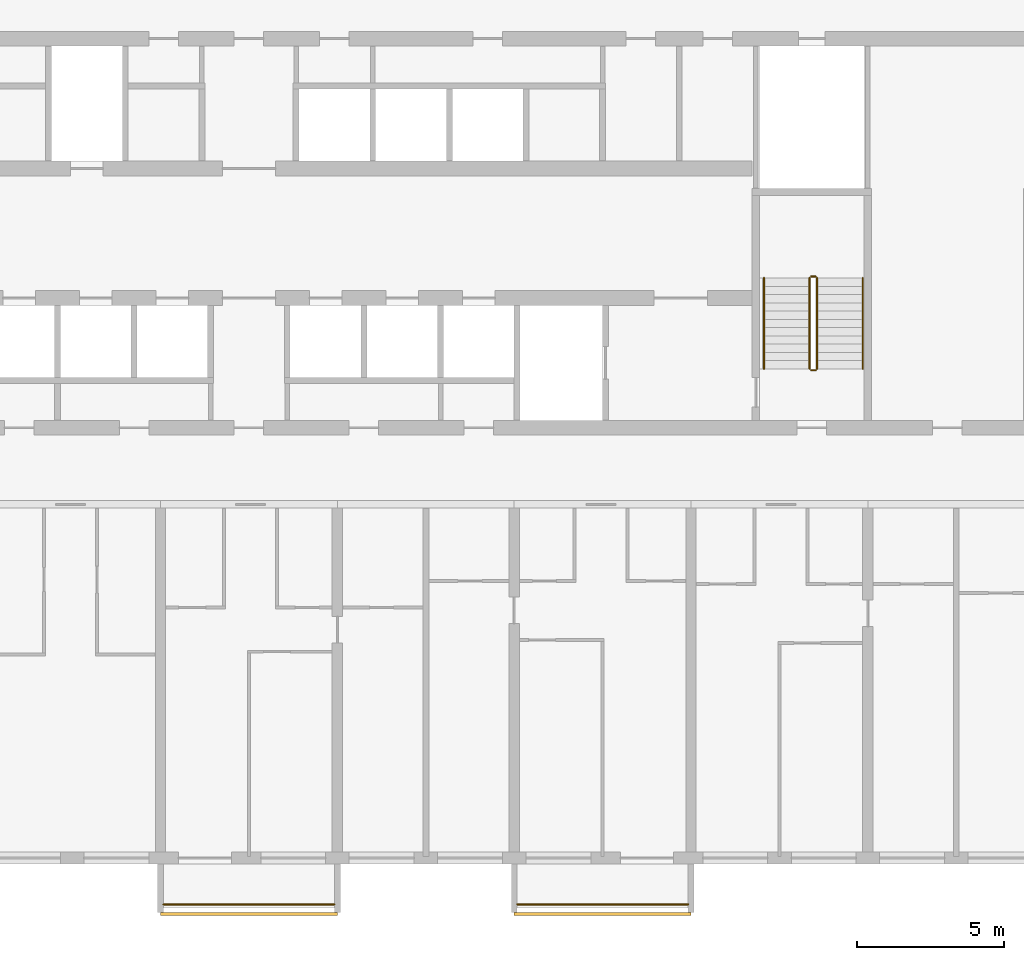
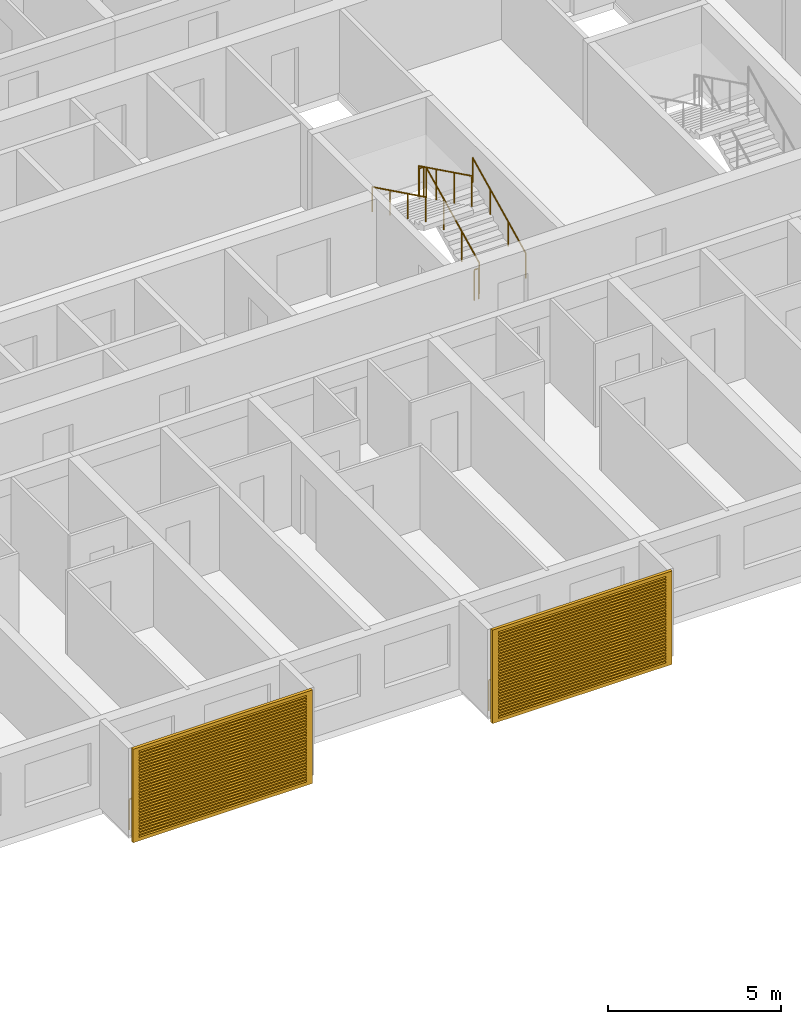
# One storey, part 16 of 24: 8 railings, 2 shading devices.
"""IFC4 building model written with IfcOpenShell, lengths in metres."""

from ifc_helpers import new_model, si_unit, direction, frame, origin, origin_2d, place, context, subcontext, project, spatial, polyline, circle, outline, extrude, source, transform, mapped, material, material_profile, profile_set, type_object, element, save


model = new_model("IFC4")

# Units and contexts
model_context = context("Model", 3, precision=1e-05, world=origin(), true_north=direction((0.0, 1.0)))
body_context = subcontext(model_context, "Body", "Model", "MODEL_VIEW")
ifc_project = project(units=[si_unit("LENGTHUNIT", "METRE"), si_unit("AREAUNIT", "SQUARE_METRE"), si_unit("VOLUMEUNIT", "CUBIC_METRE"), si_unit("PLANEANGLEUNIT", "RADIAN"), si_unit("MASSUNIT", "GRAM", prefix="KILO")], contexts=[model_context])

# Site, building, storey
site_placement = place(None, origin())
site = spatial("IfcSite", under=ifc_project, at=site_placement, CompositionType="ELEMENT")
building_placement = place(site_placement, origin())
building = spatial("IfcBuilding", under=site, at=building_placement, Name="Poui Terraces", CompositionType="ELEMENT")
storey_placement = place(building_placement, frame((0.0, 0.0, 112.5)))
storey = spatial("IfcBuildingStorey", under=building, at=storey_placement, Name="L31", CompositionType="ELEMENT", Elevation=112.5)

# Railings
ifc_material_1 = material(Name="Painted steel fretwork", Category="steel")
railing_type_1 = type_object("IfcRailingType", Name="BALCONY GUARD 1100", PredefinedType="GUARDRAIL", material=ifc_material_1)
for number, where, name in (
    (1, (48.10009765625, -1.570068359375, 0.0), "BALCONY GUARD"),
    (2, (60.10009765625, -1.570068359375, 0.0), "BALCONY GUARD"),
):
    element("IfcRailing", number, at=place(storey_placement, frame(where)), inside=storey, type_object=railing_type_1, Name=name, PredefinedType="GUARDRAIL", context=body_context, shape_type="SweptSolid", body=[
        extrude(circle(Radius=0.02392578125, at=origin_2d()), frame((0.0, 0.0, 1.076171875), z_axis=(1.0, 0.0, 0.0), x_axis=(0.0, 1.0, 0.0)), (0.0, 0.0, 1.0), 5.7998046875),
        extrude(circle(Radius=0.02099609375, at=origin_2d()), origin(), (0.0, 0.0, 1.0), 1.052001953125),
        extrude(circle(Radius=0.02099609375, at=origin_2d()), frame((0.966552734375, 0.0, 0.0)), (0.0, 0.0, 1.0), 1.052001953125),
        extrude(circle(Radius=0.02099609375, at=origin_2d()), frame((1.933349609375, 0.0, 0.0)), (0.0, 0.0, 1.0), 1.052001953125),
        extrude(circle(Radius=0.02099609375, at=origin_2d()), frame((2.89990234375, 0.0, 0.0)), (0.0, 0.0, 1.0), 1.052001953125),
        extrude(circle(Radius=0.02099609375, at=origin_2d()), frame((3.866455078125, 0.0, 0.0)), (0.0, 0.0, 1.0), 1.052001953125),
        extrude(circle(Radius=0.02099609375, at=origin_2d()), frame((4.833251953125, 0.0, 0.0)), (0.0, 0.0, 1.0), 1.052001953125),
        extrude(circle(Radius=0.02099609375, at=origin_2d()), frame((5.7998046875, 0.0, 0.0)), (0.0, 0.0, 1.0), 1.052001953125),
    ])
ifc_material_2 = material(Name="Galvanised steel balustrade", Category="steel")
railing_type_2 = type_object("IfcRailingType", Name="STAIR GUARD 1100", PredefinedType="GUARDRAIL", material=ifc_material_2)
railing_1_placement = place(storey_placement, frame((70.27490234375, 16.60009765625, 0.137451171875)))
element("IfcRailing", 3, at=railing_1_placement, inside=storey, type_object=railing_type_2, Name="L31 ST-CE stair guard 1", PredefinedType="GUARDRAIL", context=body_context, shape_type="SweptSolid", body=[
    extrude(circle(Radius=0.02392578125, at=origin_2d()), frame((0.0, 0.0, 1.076171875), z_axis=(0.0, 0.897606190399, 0.440798283751), x_axis=(-1.0, 0.0, 0.0)), (0.0, 0.0, 1.0), 3.43115234375),
    extrude(circle(Radius=0.02099609375, at=origin_2d()), origin(), (0.0, 0.0, 1.0), 1.052001953125),
    extrude(circle(Radius=0.02099609375, at=origin_2d()), frame((0.0, 1.026611328125, 0.504150390625)), (0.0, 0.0, 1.0), 1.052001953125),
    extrude(circle(Radius=0.02099609375, at=origin_2d()), frame((0.0, 2.05322265625, 1.00830078125)), (0.0, 0.0, 1.0), 1.052001953125),
    extrude(circle(Radius=0.02099609375, at=origin_2d()), frame((0.0, 3.079833984375, 1.512451171875)), (0.0, 0.0, 1.0), 1.052001953125),
])
railing_2_placement = place(storey_placement, frame((70.22509765625, 19.72998046875, 1.64990234375)))
element("IfcRailing", 4, at=railing_2_placement, inside=storey, type_object=railing_type_2, Name="L31 ST-CE stair guard 2", PredefinedType="GUARDRAIL", context=body_context, shape_type="SweptSolid", body=[
    extrude(circle(Radius=0.02392578125, at=origin_2d()), frame((0.0, 0.0, 1.076171875), z_axis=(-1.0, 0.0, 0.0), x_axis=(0.0, -1.0, 0.0)), (0.0, 0.0, 1.0), 0.150146484375),
    extrude(circle(Radius=0.02099609375, at=origin_2d()), origin(), (0.0, 0.0, 1.0), 1.052001953125),
    extrude(circle(Radius=0.02099609375, at=origin_2d()), frame((-0.150146484375, 0.0, 0.0)), (0.0, 0.0, 1.0), 1.052001953125),
])
railing_3_placement = place(storey_placement, frame((70.02490234375, 19.679931640625, 1.78759765625)))
element("IfcRailing", 5, at=railing_3_placement, inside=storey, type_object=railing_type_2, Name="L31 ST-CE stair guard 3", PredefinedType="GUARDRAIL", context=body_context, shape_type="SweptSolid", body=[
    extrude(circle(Radius=0.02392578125, at=origin_2d()), frame((0.0, 0.0, 1.076171875), z_axis=(0.0, -0.897606190399, 0.440798283751), x_axis=(1.0, 0.0, 0.0)), (0.0, 0.0, 1.0), 3.43115234375),
    extrude(circle(Radius=0.02099609375, at=origin_2d()), origin(), (0.0, 0.0, 1.0), 1.052001953125),
    extrude(circle(Radius=0.02099609375, at=origin_2d()), frame((0.0, -1.026611328125, 0.504150390625)), (0.0, 0.0, 1.0), 1.052001953125),
    extrude(circle(Radius=0.02099609375, at=origin_2d()), frame((0.0, -2.05322265625, 1.00830078125)), (0.0, 0.0, 1.0), 1.052001953125),
    extrude(circle(Radius=0.02099609375, at=origin_2d()), frame((0.0, -3.079833984375, 1.512451171875)), (0.0, 0.0, 1.0), 1.052001953125),
])
railing_4_placement = place(storey_placement, frame((70.22509765625, 16.550048828125, 0.0)))
element("IfcRailing", 6, at=railing_4_placement, inside=storey, type_object=railing_type_2, Name="L31 ST-CE stair guard 4", PredefinedType="GUARDRAIL", context=body_context, shape_type="SweptSolid", body=[
    extrude(circle(Radius=0.02392578125, at=origin_2d()), frame((0.0, 0.0, 1.076171875), z_axis=(-1.0, 0.0, 0.0), x_axis=(0.0, -1.0, 0.0)), (0.0, 0.0, 1.0), 0.150146484375),
    extrude(circle(Radius=0.02099609375, at=origin_2d()), origin(), (0.0, 0.0, 1.0), 1.052001953125),
    extrude(circle(Radius=0.02099609375, at=origin_2d()), frame((-0.150146484375, 0.0, 0.0)), (0.0, 0.0, 1.0), 1.052001953125),
])
ifc_material_3 = material(Name="Stainless steel handrail", Category="steel")
railing_type_3 = type_object("IfcRailingType", Name="STAIR HANDRAIL 900", PredefinedType="HANDRAIL", material=ifc_material_3)
railing_5_placement = place(storey_placement, frame((71.824951171875, 16.60009765625, 0.137451171875)))
element("IfcRailing", 7, at=railing_5_placement, inside=storey, type_object=railing_type_3, Name="L31 ST-CE stair handrail 1", PredefinedType="HANDRAIL", context=body_context, shape_type="SweptSolid", body=[
    extrude(circle(Radius=0.02392578125, at=origin_2d()), frame((0.0, 0.0, 0.8759765625), z_axis=(0.0, 0.897606190399, 0.440798283751), x_axis=(-1.0, 0.0, 0.0)), (0.0, 0.0, 1.0), 3.43115234375),
    extrude(circle(Radius=0.02099609375, at=origin_2d()), origin(), (0.0, 0.0, 1.0), 0.851806640625),
    extrude(circle(Radius=0.02099609375, at=origin_2d()), frame((0.0, 1.026611328125, 0.504150390625)), (0.0, 0.0, 1.0), 0.851806640625),
    extrude(circle(Radius=0.02099609375, at=origin_2d()), frame((0.0, 2.05322265625, 1.00830078125)), (0.0, 0.0, 1.0), 0.851806640625),
    extrude(circle(Radius=0.02099609375, at=origin_2d()), frame((0.0, 3.079833984375, 1.512451171875)), (0.0, 0.0, 1.0), 0.851806640625),
])
railing_6_placement = place(storey_placement, frame((68.47509765625, 19.679931640625, 1.78759765625)))
element("IfcRailing", 8, at=railing_6_placement, inside=storey, type_object=railing_type_3, Name="L31 ST-CE stair handrail 2", PredefinedType="HANDRAIL", context=body_context, shape_type="SweptSolid", body=[
    extrude(circle(Radius=0.02392578125, at=origin_2d()), frame((0.0, 0.0, 0.8759765625), z_axis=(0.0, -0.897606190399, 0.440798283751), x_axis=(1.0, 0.0, 0.0)), (0.0, 0.0, 1.0), 3.43115234375),
    extrude(circle(Radius=0.02099609375, at=origin_2d()), origin(), (0.0, 0.0, 1.0), 0.851806640625),
    extrude(circle(Radius=0.02099609375, at=origin_2d()), frame((0.0, -1.026611328125, 0.504150390625)), (0.0, 0.0, 1.0), 0.851806640625),
    extrude(circle(Radius=0.02099609375, at=origin_2d()), frame((0.0, -2.05322265625, 1.00830078125)), (0.0, 0.0, 1.0), 0.851806640625),
    extrude(circle(Radius=0.02099609375, at=origin_2d()), frame((0.0, -3.079833984375, 1.512451171875)), (0.0, 0.0, 1.0), 0.851806640625),
])

# Shading devices
ifc_material_4 = material(Name="Aluminium louvre", Category="aluminium")
ifc_material_profile = material_profile(ifc_material_4, outline(polyline([(-3.0, -1.64990234375), (3.0, -1.64990234375), (3.0, 1.64990234375), (-3.0, 1.64990234375), (-3.0, -1.64990234375)]), holes=[polyline([(-2.800048828125, -1.530029296875), (2.800048828125, -1.530029296875), (2.800048828125, -1.469970703125), (-2.800048828125, -1.469970703125), (-2.800048828125, -1.530029296875)]), polyline([(-2.800048828125, -1.429931640625), (2.800048828125, -1.429931640625), (2.800048828125, -1.3701171875), (-2.800048828125, -1.3701171875), (-2.800048828125, -1.429931640625)]), polyline([(-2.800048828125, -1.330078125), (2.800048828125, -1.330078125), (2.800048828125, -1.27001953125), (-2.800048828125, -1.27001953125), (-2.800048828125, -1.330078125)]), polyline([(-2.800048828125, -1.22998046875), (2.800048828125, -1.22998046875), (2.800048828125, -1.169921875), (-2.800048828125, -1.169921875), (-2.800048828125, -1.22998046875)]), polyline([(-2.800048828125, -1.1298828125), (2.800048828125, -1.1298828125), (2.800048828125, -1.070068359375), (-2.800048828125, -1.070068359375), (-2.800048828125, -1.1298828125)]), polyline([(-2.800048828125, -1.030029296875), (2.800048828125, -1.030029296875), (2.800048828125, -0.969970703125), (-2.800048828125, -0.969970703125), (-2.800048828125, -1.030029296875)]), polyline([(-2.800048828125, -0.929931640625), (2.800048828125, -0.929931640625), (2.800048828125, -0.8701171875), (-2.800048828125, -0.8701171875), (-2.800048828125, -0.929931640625)]), polyline([(-2.800048828125, -0.830078125), (2.800048828125, -0.830078125), (2.800048828125, -0.77001953125), (-2.800048828125, -0.77001953125), (-2.800048828125, -0.830078125)]), polyline([(-2.800048828125, -0.72998046875), (2.800048828125, -0.72998046875), (2.800048828125, -0.669921875), (-2.800048828125, -0.669921875), (-2.800048828125, -0.72998046875)]), polyline([(-2.800048828125, -0.6298828125), (2.800048828125, -0.6298828125), (2.800048828125, -0.570068359375), (-2.800048828125, -0.570068359375), (-2.800048828125, -0.6298828125)]), polyline([(-2.800048828125, -0.530029296875), (2.800048828125, -0.530029296875), (2.800048828125, -0.469970703125), (-2.800048828125, -0.469970703125), (-2.800048828125, -0.530029296875)]), polyline([(-2.800048828125, -0.429931640625), (2.800048828125, -0.429931640625), (2.800048828125, -0.3701171875), (-2.800048828125, -0.3701171875), (-2.800048828125, -0.429931640625)]), polyline([(-2.800048828125, -0.330078125), (2.800048828125, -0.330078125), (2.800048828125, -0.27001953125), (-2.800048828125, -0.27001953125), (-2.800048828125, -0.330078125)]), polyline([(-2.800048828125, -0.22998046875), (2.800048828125, -0.22998046875), (2.800048828125, -0.169921875), (-2.800048828125, -0.169921875), (-2.800048828125, -0.22998046875)]), polyline([(-2.800048828125, -0.1298828125), (2.800048828125, -0.1298828125), (2.800048828125, -0.070068359375), (-2.800048828125, -0.070068359375), (-2.800048828125, -0.1298828125)]), polyline([(-2.800048828125, -0.030029296875), (2.800048828125, -0.030029296875), (2.800048828125, 0.030029296875), (-2.800048828125, 0.030029296875), (-2.800048828125, -0.030029296875)]), polyline([(-2.800048828125, 0.070068359375), (2.800048828125, 0.070068359375), (2.800048828125, 0.1298828125), (-2.800048828125, 0.1298828125), (-2.800048828125, 0.070068359375)]), polyline([(-2.800048828125, 0.169921875), (2.800048828125, 0.169921875), (2.800048828125, 0.22998046875), (-2.800048828125, 0.22998046875), (-2.800048828125, 0.169921875)]), polyline([(-2.800048828125, 0.27001953125), (2.800048828125, 0.27001953125), (2.800048828125, 0.330078125), (-2.800048828125, 0.330078125), (-2.800048828125, 0.27001953125)]), polyline([(-2.800048828125, 0.3701171875), (2.800048828125, 0.3701171875), (2.800048828125, 0.429931640625), (-2.800048828125, 0.429931640625), (-2.800048828125, 0.3701171875)]), polyline([(-2.800048828125, 0.469970703125), (2.800048828125, 0.469970703125), (2.800048828125, 0.530029296875), (-2.800048828125, 0.530029296875), (-2.800048828125, 0.469970703125)]), polyline([(-2.800048828125, 0.570068359375), (2.800048828125, 0.570068359375), (2.800048828125, 0.6298828125), (-2.800048828125, 0.6298828125), (-2.800048828125, 0.570068359375)]), polyline([(-2.800048828125, 0.669921875), (2.800048828125, 0.669921875), (2.800048828125, 0.72998046875), (-2.800048828125, 0.72998046875), (-2.800048828125, 0.669921875)]), polyline([(-2.800048828125, 0.77001953125), (2.800048828125, 0.77001953125), (2.800048828125, 0.830078125), (-2.800048828125, 0.830078125), (-2.800048828125, 0.77001953125)]), polyline([(-2.800048828125, 0.8701171875), (2.800048828125, 0.8701171875), (2.800048828125, 0.929931640625), (-2.800048828125, 0.929931640625), (-2.800048828125, 0.8701171875)]), polyline([(-2.800048828125, 0.969970703125), (2.800048828125, 0.969970703125), (2.800048828125, 1.030029296875), (-2.800048828125, 1.030029296875), (-2.800048828125, 0.969970703125)]), polyline([(-2.800048828125, 1.070068359375), (2.800048828125, 1.070068359375), (2.800048828125, 1.1298828125), (-2.800048828125, 1.1298828125), (-2.800048828125, 1.070068359375)]), polyline([(-2.800048828125, 1.169921875), (2.800048828125, 1.169921875), (2.800048828125, 1.22998046875), (-2.800048828125, 1.22998046875), (-2.800048828125, 1.169921875)]), polyline([(-2.800048828125, 1.27001953125), (2.800048828125, 1.27001953125), (2.800048828125, 1.330078125), (-2.800048828125, 1.330078125), (-2.800048828125, 1.27001953125)]), polyline([(-2.800048828125, 1.3701171875), (2.800048828125, 1.3701171875), (2.800048828125, 1.429931640625), (-2.800048828125, 1.429931640625), (-2.800048828125, 1.3701171875)]), polyline([(-2.800048828125, 1.469970703125), (2.800048828125, 1.469970703125), (2.800048828125, 1.530029296875), (-2.800048828125, 1.530029296875), (-2.800048828125, 1.469970703125)])]), Name="JALOUSIE LOUVRE SHUTTER 6000X3300")
ifc_profile_set = profile_set([ifc_material_profile], Name="Aluminium louvre")
shading_device_type = type_object("IfcShadingDeviceType", Name="JALOUSIE LOUVRE SHUTTER 6000X3300", PredefinedType="JALOUSIE", material=ifc_profile_set)
shared_shape = source(origin(), body_context, "Body", "SweptSolid", [
    extrude(outline(polyline([(-3.0, -1.64990234375), (3.0, -1.64990234375), (3.0, 1.64990234375), (-3.0, 1.64990234375), (-3.0, -1.64990234375)]), holes=[polyline([(-2.800048828125, -1.530029296875), (2.800048828125, -1.530029296875), (2.800048828125, -1.469970703125), (-2.800048828125, -1.469970703125), (-2.800048828125, -1.530029296875)]), polyline([(-2.800048828125, -1.429931640625), (2.800048828125, -1.429931640625), (2.800048828125, -1.3701171875), (-2.800048828125, -1.3701171875), (-2.800048828125, -1.429931640625)]), polyline([(-2.800048828125, -1.330078125), (2.800048828125, -1.330078125), (2.800048828125, -1.27001953125), (-2.800048828125, -1.27001953125), (-2.800048828125, -1.330078125)]), polyline([(-2.800048828125, -1.22998046875), (2.800048828125, -1.22998046875), (2.800048828125, -1.169921875), (-2.800048828125, -1.169921875), (-2.800048828125, -1.22998046875)]), polyline([(-2.800048828125, -1.1298828125), (2.800048828125, -1.1298828125), (2.800048828125, -1.070068359375), (-2.800048828125, -1.070068359375), (-2.800048828125, -1.1298828125)]), polyline([(-2.800048828125, -1.030029296875), (2.800048828125, -1.030029296875), (2.800048828125, -0.969970703125), (-2.800048828125, -0.969970703125), (-2.800048828125, -1.030029296875)]), polyline([(-2.800048828125, -0.929931640625), (2.800048828125, -0.929931640625), (2.800048828125, -0.8701171875), (-2.800048828125, -0.8701171875), (-2.800048828125, -0.929931640625)]), polyline([(-2.800048828125, -0.830078125), (2.800048828125, -0.830078125), (2.800048828125, -0.77001953125), (-2.800048828125, -0.77001953125), (-2.800048828125, -0.830078125)]), polyline([(-2.800048828125, -0.72998046875), (2.800048828125, -0.72998046875), (2.800048828125, -0.669921875), (-2.800048828125, -0.669921875), (-2.800048828125, -0.72998046875)]), polyline([(-2.800048828125, -0.6298828125), (2.800048828125, -0.6298828125), (2.800048828125, -0.570068359375), (-2.800048828125, -0.570068359375), (-2.800048828125, -0.6298828125)]), polyline([(-2.800048828125, -0.530029296875), (2.800048828125, -0.530029296875), (2.800048828125, -0.469970703125), (-2.800048828125, -0.469970703125), (-2.800048828125, -0.530029296875)]), polyline([(-2.800048828125, -0.429931640625), (2.800048828125, -0.429931640625), (2.800048828125, -0.3701171875), (-2.800048828125, -0.3701171875), (-2.800048828125, -0.429931640625)]), polyline([(-2.800048828125, -0.330078125), (2.800048828125, -0.330078125), (2.800048828125, -0.27001953125), (-2.800048828125, -0.27001953125), (-2.800048828125, -0.330078125)]), polyline([(-2.800048828125, -0.22998046875), (2.800048828125, -0.22998046875), (2.800048828125, -0.169921875), (-2.800048828125, -0.169921875), (-2.800048828125, -0.22998046875)]), polyline([(-2.800048828125, -0.1298828125), (2.800048828125, -0.1298828125), (2.800048828125, -0.070068359375), (-2.800048828125, -0.070068359375), (-2.800048828125, -0.1298828125)]), polyline([(-2.800048828125, -0.030029296875), (2.800048828125, -0.030029296875), (2.800048828125, 0.030029296875), (-2.800048828125, 0.030029296875), (-2.800048828125, -0.030029296875)]), polyline([(-2.800048828125, 0.070068359375), (2.800048828125, 0.070068359375), (2.800048828125, 0.1298828125), (-2.800048828125, 0.1298828125), (-2.800048828125, 0.070068359375)]), polyline([(-2.800048828125, 0.169921875), (2.800048828125, 0.169921875), (2.800048828125, 0.22998046875), (-2.800048828125, 0.22998046875), (-2.800048828125, 0.169921875)]), polyline([(-2.800048828125, 0.27001953125), (2.800048828125, 0.27001953125), (2.800048828125, 0.330078125), (-2.800048828125, 0.330078125), (-2.800048828125, 0.27001953125)]), polyline([(-2.800048828125, 0.3701171875), (2.800048828125, 0.3701171875), (2.800048828125, 0.429931640625), (-2.800048828125, 0.429931640625), (-2.800048828125, 0.3701171875)]), polyline([(-2.800048828125, 0.469970703125), (2.800048828125, 0.469970703125), (2.800048828125, 0.530029296875), (-2.800048828125, 0.530029296875), (-2.800048828125, 0.469970703125)]), polyline([(-2.800048828125, 0.570068359375), (2.800048828125, 0.570068359375), (2.800048828125, 0.6298828125), (-2.800048828125, 0.6298828125), (-2.800048828125, 0.570068359375)]), polyline([(-2.800048828125, 0.669921875), (2.800048828125, 0.669921875), (2.800048828125, 0.72998046875), (-2.800048828125, 0.72998046875), (-2.800048828125, 0.669921875)]), polyline([(-2.800048828125, 0.77001953125), (2.800048828125, 0.77001953125), (2.800048828125, 0.830078125), (-2.800048828125, 0.830078125), (-2.800048828125, 0.77001953125)]), polyline([(-2.800048828125, 0.8701171875), (2.800048828125, 0.8701171875), (2.800048828125, 0.929931640625), (-2.800048828125, 0.929931640625), (-2.800048828125, 0.8701171875)]), polyline([(-2.800048828125, 0.969970703125), (2.800048828125, 0.969970703125), (2.800048828125, 1.030029296875), (-2.800048828125, 1.030029296875), (-2.800048828125, 0.969970703125)]), polyline([(-2.800048828125, 1.070068359375), (2.800048828125, 1.070068359375), (2.800048828125, 1.1298828125), (-2.800048828125, 1.1298828125), (-2.800048828125, 1.070068359375)]), polyline([(-2.800048828125, 1.169921875), (2.800048828125, 1.169921875), (2.800048828125, 1.22998046875), (-2.800048828125, 1.22998046875), (-2.800048828125, 1.169921875)]), polyline([(-2.800048828125, 1.27001953125), (2.800048828125, 1.27001953125), (2.800048828125, 1.330078125), (-2.800048828125, 1.330078125), (-2.800048828125, 1.27001953125)]), polyline([(-2.800048828125, 1.3701171875), (2.800048828125, 1.3701171875), (2.800048828125, 1.429931640625), (-2.800048828125, 1.429931640625), (-2.800048828125, 1.3701171875)]), polyline([(-2.800048828125, 1.469970703125), (2.800048828125, 1.469970703125), (2.800048828125, 1.530029296875), (-2.800048828125, 1.530029296875), (-2.800048828125, 1.469970703125)])]), origin(), (0.0, 0.0, 1.0), 0.099853515625),
])
for number, where, z_axis, x_axis, name in (
    (9, (51.0, -1.85009765625, 1.449951171875), (0.0, -1.0, 0.0), (1.0, 0.0, 0.0), "JALOUSIE LOUVRE SHUTTER"),
    (10, (63.0, -1.85009765625, 1.449951171875), (0.0, -1.0, 0.0), (1.0, 0.0, 0.0), "JALOUSIE LOUVRE SHUTTER"),
):
    element("IfcShadingDevice", number, at=place(storey_placement, frame(where, z_axis=z_axis, x_axis=x_axis)), inside=storey, type_object=shading_device_type, Name=name, PredefinedType="JALOUSIE", context=body_context, shape_type="MappedRepresentation", body=[
        mapped(shared_shape, transform((0.0, 0.0, 0.0))),
    ])

save(model, "model.ifc")
